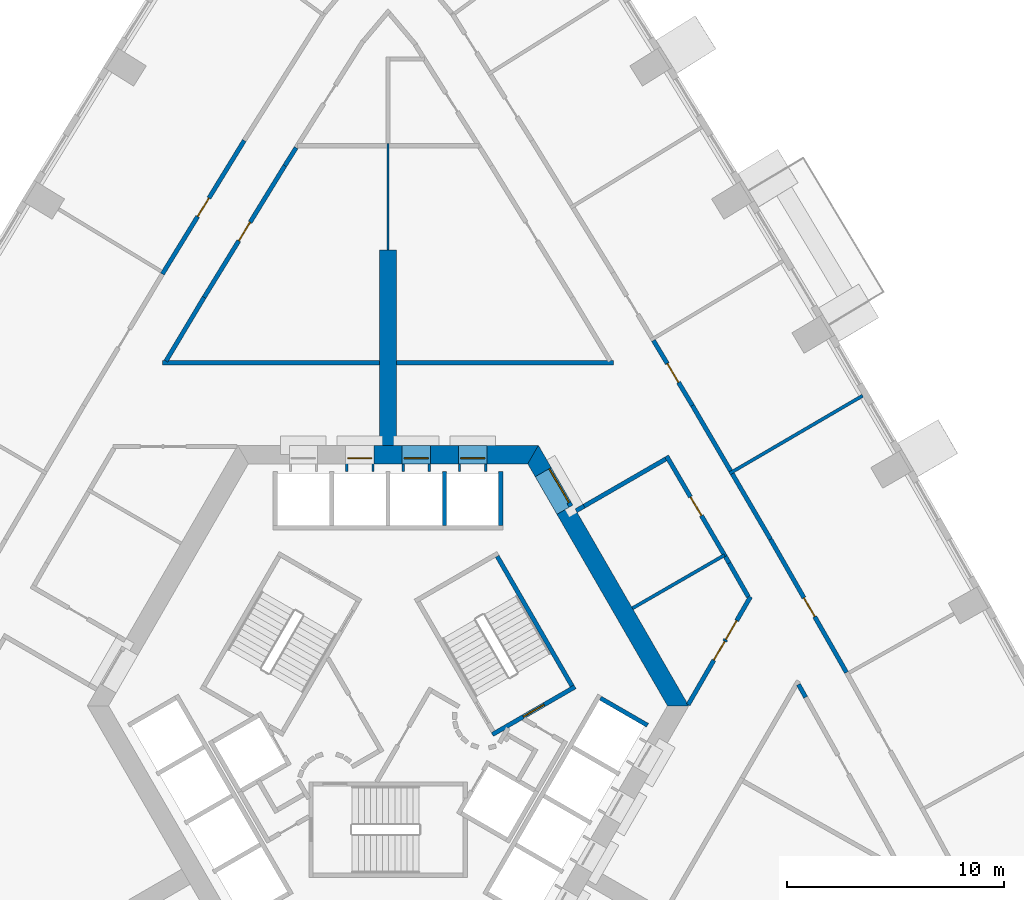
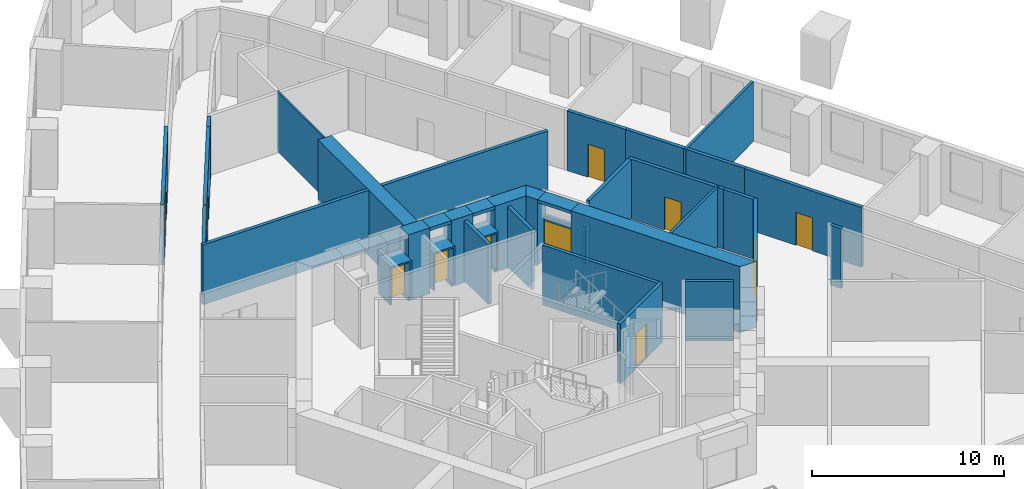
# One storey, part 9 of 15: 38 walls, 12 doors, 12 openings.
"""IFC4 building model written with IfcOpenShell, lengths in metres."""

from ifc_helpers import new_model, si_unit, direction, frame, frame_2d, origin, place, context, subcontext, project, spatial, polyline, rectangle, outline, extrude, material, layer, layer_set, type_object, element, fill, save


model = new_model("IFC4")

# Units and contexts
model_context = context("Model", 3, precision=1e-05, world=origin(), true_north=direction((0.0, 1.0)))
body_context = subcontext(model_context, "Body", "Model", "MODEL_VIEW")
ifc_project = project(units=[si_unit("LENGTHUNIT", "METRE"), si_unit("AREAUNIT", "SQUARE_METRE"), si_unit("VOLUMEUNIT", "CUBIC_METRE"), si_unit("PLANEANGLEUNIT", "RADIAN"), si_unit("MASSUNIT", "GRAM", prefix="KILO")], contexts=[model_context])

# Site, building, storey
site_placement = place(None, origin())
site = spatial("IfcSite", under=ifc_project, at=site_placement, CompositionType="ELEMENT")
building_placement = place(site_placement, origin())
building = spatial("IfcBuilding", under=site, at=building_placement, Name="Entoto Arch Interchange Tower", CompositionType="ELEMENT")
storey_placement = place(building_placement, frame((0.0, 0.0, 124.39990234375)))
storey = spatial("IfcBuildingStorey", under=building, at=storey_placement, Name="L27", CompositionType="ELEMENT", Elevation=124.39990234375)

# Wall
ifc_material_1 = material(Name="Concrete C60/75", Category="concrete")
ifc_layer_1 = layer(ifc_material_1, 0.800048828125)
ifc_layer_set_1 = layer_set([ifc_layer_1], Name="Concrete C60/75")
wall_type_1 = type_object("IfcWallType", Name="Buttress wall 800 C60/75", PredefinedType="SHEAR", material=ifc_layer_set_1)
wall_1_placement = place(storey_placement, frame((0.0, 14.5, -0.39990234375), z_axis=(0.0, 0.0, 1.0), x_axis=(0.0, 1.0, 0.0)))
element("IfcWall", 1, at=wall_1_placement, inside=storey, type_object=wall_type_1, Name="Buttress wall N L27", PredefinedType="SHEAR", context=body_context, shape_type="SweptSolid", body=[
    extrude(rectangle(XDim=9.0, YDim=0.800048828125, at=frame_2d((4.5, 0.0))), origin(), (0.0, 0.0, 1.0), 4.199951171875),
])

# Wall, opening, door
ifc_material_2 = material(Name="Reinforced concrete C40/50", Category="concrete")
ifc_layer_2 = layer(ifc_material_2, 0.199951171875)
ifc_layer_set_2 = layer_set([ifc_layer_2], Name="Reinforced concrete C40/50")
wall_type_2 = type_object("IfcWallType", Name="CORE GAP INFILL WALL", PredefinedType="PARTITIONING", material=ifc_layer_set_2)
wall_2_placement = place(storey_placement, frame((8.429931640625, 11.697998046875, 0.0), z_axis=(0.0, 0.0, 1.0), x_axis=(-0.50002537861, 0.866010750942, 0.0)))
wall_2 = element("IfcWall", 2, at=wall_2_placement, inside=storey, type_object=wall_type_2, Name="wall:L27:gap2", PredefinedType="PARTITIONING", context=body_context, shape_type="SweptSolid", body=[
    extrude(rectangle(XDim=2.0, YDim=0.199951171875, at=frame_2d((1.0, 0.0))), origin(), (0.0, 0.0, 1.0), 2.400146484375),
])
opening_1_placement = place(wall_2_placement, frame((0.18994140625, 0.0, 0.0)))
opening_1 = element("IfcOpeningElement", 3, at=opening_1_placement, cuts=wall_2, Name="Opening L27-D92", PredefinedType="OPENING", context=body_context, shape_type="SweptSolid", body=[
    extrude(rectangle(XDim=1.800048828125, YDim=2.10009765625, at=frame_2d((0.89990234375, 1.050048828125))), frame((0.0, 0.10986328125, 0.0), z_axis=(0.0, -1.0, 0.0), x_axis=(1.0, 0.0, 0.0)), (0.0, 0.0, 1.0), 0.219970703125),
])
ifc_material_3 = material(Name="Fire-rated Steel S235 door and frame", Category="steel")
door_type_1 = type_object("IfcDoorType", Name="DOOR FD-18 1800x2100", OperationType="DOUBLE_DOOR_SINGLE_SWING", PredefinedType="DOOR", material=ifc_material_3)
door_1_placement = place(opening_1_placement, origin())
door_1 = element("IfcDoor", 4, at=door_1_placement, inside=storey, type_object=door_type_1, Name="door:L27:gap2", OperationType="DOUBLE_DOOR_SINGLE_SWING", OverallHeight=2.10009765625, OverallWidth=1.800048828125, PredefinedType="DOOR", context=body_context, shape_type="SweptSolid", body=[
    extrude(rectangle(XDim=1.800048828125, YDim=2.10009765625, at=frame_2d((0.89990234375, 1.050048828125))), frame((0.0, 0.02490234375, 0.0), z_axis=(0.0, -1.0, 0.0), x_axis=(1.0, 0.0, 0.0)), (0.0, 0.0, 1.0), 0.050048828125),
])
fill(opening_1, door_1)

# Walls
ifc_layer_3 = layer(ifc_material_1, 0.85009765625)
ifc_layer_set_3 = layer_set([ifc_layer_3], Name="Concrete C60/75")
wall_type_3 = type_object("IfcWallType", Name="Core wall 850 C60/75", PredefinedType="SHEAR", material=ifc_layer_set_3)
wall_3_placement = place(storey_placement, frame((0.0, 0.0, -0.39990234375)))
element("IfcWall", 5, at=wall_3_placement, inside=storey, type_object=wall_type_3, Name="Core wall NE L27", PredefinedType="SHEAR", context=body_context, shape_type="SweptSolid", body=[
    extrude(outline(polyline([(8.51708984375, 11.748046875), (7.781005859375, 11.322998046875), (12.875, 2.5), (13.85595703125, 2.5), (8.51708984375, 11.748046875)])), origin(), (0.0, 0.0, 1.0), 4.199951171875),
])
wall_4_placement = place(storey_placement, frame((0.0, 0.0, -0.39990234375)))
element("IfcWall", 6, at=wall_4_placement, inside=storey, type_object=wall_type_3, Name="Core wall NE L27", PredefinedType="SHEAR", context=body_context, shape_type="SweptSolid", body=[
    extrude(outline(polyline([(6.781005859375, 13.054931640625), (7.51708984375, 13.47998046875), (6.927978515625, 14.5), (6.43701171875, 13.64990234375), (6.781005859375, 13.054931640625)])), origin(), (0.0, 0.0, 1.0), 4.199951171875),
])
wall_5_placement = place(storey_placement, frame((0.0, 0.0, 3.60009765625)))
element("IfcWall", 7, at=wall_5_placement, inside=storey, type_object=wall_type_3, Name="Core wall lintel NE L27", PredefinedType="SHEAR", context=body_context, shape_type="SweptSolid", body=[
    extrude(outline(polyline([(7.51708984375, 13.47998046875), (6.781005859375, 13.054931640625), (7.781005859375, 11.322998046875), (8.51708984375, 11.748046875), (7.51708984375, 13.47998046875)])), origin(), (0.0, 0.0, 1.0), 0.199951171875),
])
wall_6_placement = place(storey_placement, frame((0.0, 0.0, -0.39990234375)))
element("IfcWall", 8, at=wall_6_placement, inside=storey, type_object=wall_type_3, Name="Core wall N L27", PredefinedType="SHEAR", context=body_context, shape_type="SweptSolid", body=[
    extrude(outline(polyline([(4.550048828125, 14.5), (4.550048828125, 13.64990234375), (6.43701171875, 13.64990234375), (6.927978515625, 14.5), (4.550048828125, 14.5)])), origin(), (0.0, 0.0, 1.0), 4.199951171875),
])
wall_7_placement = place(storey_placement, frame((0.0, 0.0, -0.39990234375)))
element("IfcWall", 9, at=wall_7_placement, inside=storey, type_object=wall_type_3, Name="Core wall N L27", PredefinedType="SHEAR", context=body_context, shape_type="SweptSolid", body=[
    extrude(outline(polyline([(1.949951171875, 14.5), (1.949951171875, 13.64990234375), (3.25, 13.64990234375), (3.25, 14.5), (1.949951171875, 14.5)])), origin(), (0.0, 0.0, 1.0), 4.199951171875),
])
wall_8_placement = place(storey_placement, frame((0.0, 0.0, -0.39990234375)))
element("IfcWall", 10, at=wall_8_placement, inside=storey, type_object=wall_type_3, Name="Core wall N L27", PredefinedType="SHEAR", context=body_context, shape_type="SweptSolid", body=[
    extrude(outline(polyline([(-0.64990234375, 14.5), (-0.64990234375, 13.64990234375), (0.64990234375, 13.64990234375), (0.64990234375, 14.5), (-0.64990234375, 14.5)])), origin(), (0.0, 0.0, 1.0), 4.199951171875),
])
wall_9_placement = place(storey_placement, frame((0.0, 0.0, 3.60009765625)))
element("IfcWall", 11, at=wall_9_placement, inside=storey, type_object=wall_type_3, Name="Core wall lintel N L27", PredefinedType="SHEAR", context=body_context, shape_type="SweptSolid", body=[
    extrude(outline(polyline([(3.25, 14.5), (3.25, 13.64990234375), (4.550048828125, 13.64990234375), (4.550048828125, 14.5), (3.25, 14.5)])), origin(), (0.0, 0.0, 1.0), 0.199951171875),
])
wall_10_placement = place(storey_placement, frame((0.0, 0.0, 3.60009765625)))
element("IfcWall", 12, at=wall_10_placement, inside=storey, type_object=wall_type_3, Name="Core wall lintel N L27", PredefinedType="SHEAR", context=body_context, shape_type="SweptSolid", body=[
    extrude(outline(polyline([(0.64990234375, 14.5), (0.64990234375, 13.64990234375), (1.949951171875, 13.64990234375), (1.949951171875, 14.5), (0.64990234375, 14.5)])), origin(), (0.0, 0.0, 1.0), 0.199951171875),
])

# Wall, opening, door
ifc_material_4 = material(Name="Concrete C40/50", Category="concrete")
ifc_layer_4 = layer(ifc_material_4, 1.199951171875)
ifc_layer_set_4 = layer_set([ifc_layer_4], Name="Concrete C40/50")
wall_type_4 = type_object("IfcWallType", Name="LIFT LANDING INFILL WALL", PredefinedType="STANDARD", material=ifc_layer_set_4)
wall_11_placement = place(storey_placement, frame((4.550048828125, 13.89990234375, 0.0), z_axis=(0.0, 0.0, 1.0), x_axis=(-1.0, 0.0, 0.0)))
wall_11 = element("IfcWall", 13, at=wall_11_placement, inside=storey, type_object=wall_type_4, Name="Lift landing infill wall LR1 L27", PredefinedType="STANDARD", context=body_context, shape_type="SweptSolid", body=[
    extrude(rectangle(XDim=1.300048828125, YDim=1.199951171875, at=frame_2d((0.64990234375, 0.0))), origin(), (0.0, 0.0, 1.0), 2.400146484375),
])
opening_2_placement = place(wall_11_placement, frame((0.10009765625, 0.0, 0.0)))
opening_2 = element("IfcOpeningElement", 14, at=opening_2_placement, cuts=wall_11, Name="Opening LD-LR1-L27", PredefinedType="OPENING", context=body_context, shape_type="SweptSolid", body=[
    extrude(rectangle(XDim=1.10009765625, YDim=2.300048828125, at=frame_2d((0.550048828125, 1.14990234375))), frame((0.0, 0.60986328125, 0.0), z_axis=(0.0, -1.0, 0.0), x_axis=(1.0, 0.0, 0.0)), (0.0, 0.0, 1.0), 1.219970703125),
])
ifc_material_5 = material(Name="Stainless steel 1.4301 panels", Category="steel")
door_type_2 = type_object("IfcDoorType", Name="LIFT LANDING DOOR LD2 1100x2300", OperationType="SLIDING_TO_LEFT", PredefinedType="DOOR", material=ifc_material_5)
door_2_placement = place(opening_2_placement, origin())
door_2 = element("IfcDoor", 15, at=door_2_placement, inside=storey, type_object=door_type_2, Name="Lift landing door LR1 L27", OperationType="SLIDING_TO_LEFT", OverallHeight=2.300048828125, OverallWidth=1.10009765625, PredefinedType="DOOR", context=body_context, shape_type="SweptSolid", body=[
    extrude(rectangle(XDim=1.10009765625, YDim=2.300048828125, at=frame_2d((0.550048828125, 1.14990234375))), frame((0.0, 0.02490234375, 0.0), z_axis=(0.0, -1.0, 0.0), x_axis=(1.0, 0.0, 0.0)), (0.0, 0.0, 1.0), 0.050048828125),
])
fill(opening_2, door_2)

wall_12_placement = place(storey_placement, frame((1.949951171875, 13.89990234375, 0.0), z_axis=(0.0, 0.0, 1.0), x_axis=(-1.0, 0.0, 0.0)))
wall_12 = element("IfcWall", 16, at=wall_12_placement, inside=storey, type_object=wall_type_4, Name="Lift landing infill wall LR2 L27", PredefinedType="STANDARD", context=body_context, shape_type="SweptSolid", body=[
    extrude(rectangle(XDim=1.300048828125, YDim=1.199951171875, at=frame_2d((0.64990234375, 0.0))), origin(), (0.0, 0.0, 1.0), 2.400146484375),
])
opening_3_placement = place(wall_12_placement, frame((0.10009765625, 0.0, 0.0)))
opening_3 = element("IfcOpeningElement", 17, at=opening_3_placement, cuts=wall_12, Name="Opening LD-LR2-L27", PredefinedType="OPENING", context=body_context, shape_type="SweptSolid", body=[
    extrude(rectangle(XDim=1.10009765625, YDim=2.300048828125, at=frame_2d((0.550048828125, 1.14990234375))), frame((0.0, 0.60986328125, 0.0), z_axis=(0.0, -1.0, 0.0), x_axis=(1.0, 0.0, 0.0)), (0.0, 0.0, 1.0), 1.219970703125),
])
door_3_placement = place(opening_3_placement, origin())
door_3 = element("IfcDoor", 18, at=door_3_placement, inside=storey, type_object=door_type_2, Name="Lift landing door LR2 L27", OperationType="SLIDING_TO_LEFT", OverallHeight=2.300048828125, OverallWidth=1.10009765625, PredefinedType="DOOR", context=body_context, shape_type="SweptSolid", body=[
    extrude(rectangle(XDim=1.10009765625, YDim=2.300048828125, at=frame_2d((0.550048828125, 1.14990234375))), frame((0.0, 0.02490234375, 0.0), z_axis=(0.0, -1.0, 0.0), x_axis=(1.0, 0.0, 0.0)), (0.0, 0.0, 1.0), 0.050048828125),
])
fill(opening_3, door_3)

wall_13_placement = place(storey_placement, frame((-0.64990234375, 13.89990234375, 0.0), z_axis=(0.0, 0.0, 1.0), x_axis=(-1.0, 0.0, 0.0)))
wall_13 = element("IfcWall", 19, at=wall_13_placement, inside=storey, type_object=wall_type_4, Name="Lift landing infill wall LR3 L27", PredefinedType="STANDARD", context=body_context, shape_type="SweptSolid", body=[
    extrude(rectangle(XDim=1.300048828125, YDim=1.199951171875, at=frame_2d((0.64990234375, 0.0))), origin(), (0.0, 0.0, 1.0), 2.400146484375),
])
opening_4_placement = place(wall_13_placement, frame((0.10009765625, 0.0, 0.0)))
opening_4 = element("IfcOpeningElement", 20, at=opening_4_placement, cuts=wall_13, Name="Opening LD-LR3-L27", PredefinedType="OPENING", context=body_context, shape_type="SweptSolid", body=[
    extrude(rectangle(XDim=1.10009765625, YDim=2.300048828125, at=frame_2d((0.550048828125, 1.14990234375))), frame((0.0, 0.60986328125, 0.0), z_axis=(0.0, -1.0, 0.0), x_axis=(1.0, 0.0, 0.0)), (0.0, 0.0, 1.0), 1.219970703125),
])
door_4_placement = place(opening_4_placement, origin())
door_4 = element("IfcDoor", 21, at=door_4_placement, inside=storey, type_object=door_type_2, Name="Lift landing door LR3 L27", OperationType="SLIDING_TO_LEFT", OverallHeight=2.300048828125, OverallWidth=1.10009765625, PredefinedType="DOOR", context=body_context, shape_type="SweptSolid", body=[
    extrude(rectangle(XDim=1.10009765625, YDim=2.300048828125, at=frame_2d((0.550048828125, 1.14990234375))), frame((0.0, 0.02490234375, 0.0), z_axis=(0.0, -1.0, 0.0), x_axis=(1.0, 0.0, 0.0)), (0.0, 0.0, 1.0), 0.050048828125),
])
fill(opening_4, door_4)

# Walls
ifc_layer_5 = layer(ifc_material_4, 0.199951171875)
ifc_layer_set_5 = layer_set([ifc_layer_5], Name="Concrete C40/50")
wall_type_5 = type_object("IfcWallType", Name="LIFT SHAFT WALL 200", PredefinedType="STANDARD", material=ifc_layer_set_5)
for number, where, z_axis, x_axis, name in (
    (22, (5.199951171875, 10.800048828125, 0.0), (0.0, 0.0, 1.0), (0.0, 1.0, 0.0), "Shaft wall N3 cross 1"),
    (23, (2.60009765625, 10.800048828125, 0.0), (0.0, 0.0, 1.0), (0.0, 1.0, 0.0), "Shaft wall N3 cross 2"),
):
    element("IfcWall", number, at=place(storey_placement, frame(where, z_axis=z_axis, x_axis=x_axis)), inside=storey, type_object=wall_type_5, Name=name, PredefinedType="STANDARD", context=body_context, shape_type="SweptSolid", body=[
        extrude(rectangle(XDim=2.5, YDim=0.199951171875, at=frame_2d((1.25, 0.0))), origin(), (0.0, 0.0, 1.0), 3.800048828125),
    ])
wall_14_placement = place(storey_placement, frame((9.7880859375, 2.85302734375, 0.0), z_axis=(0.0, 0.0, 1.0), x_axis=(0.865998541277, -0.500046524342, 0.0)))
element("IfcWall", 24, at=wall_14_placement, inside=storey, type_object=wall_type_5, Name="Shaft wall SE3 cross 5", PredefinedType="STANDARD", context=body_context, shape_type="SweptSolid", body=[
    extrude(rectangle(XDim=2.499755859375, YDim=0.199951171875, at=frame_2d((1.25, 0.0))), origin(), (0.0, 0.0, 1.0), 3.800048828125),
])
ifc_material_6 = material(Name="Gypsum board partition on steel studs", Category="steel")
ifc_layer_6 = layer(ifc_material_6, 0.10009765625)
ifc_layer_set_6 = layer_set([ifc_layer_6], Name="Gypsum board partition on steel studs")
wall_type_6 = type_object("IfcWallType", Name="PARTITION 100", PredefinedType="PARTITIONING", material=ifc_layer_set_6)
wall_15_placement = place(storey_placement, frame((0.0, 23.5, 0.0), z_axis=(0.0, 0.0, 1.0), x_axis=(0.0, 1.0, 0.0)))
element("IfcWall", 25, at=wall_15_placement, inside=storey, type_object=wall_type_6, Name="wall:L27:p124", PredefinedType="PARTITIONING", context=body_context, shape_type="SweptSolid", body=[
    extrude(rectangle(XDim=4.89990234375, YDim=0.10009765625, at=frame_2d((2.449951171875, 0.0))), origin(), (0.0, 0.0, 1.0), 3.800048828125),
])
ifc_layer_7 = layer(ifc_material_6, 0.14990234375)
ifc_layer_set_7 = layer_set([ifc_layer_7], Name="Gypsum board partition on steel studs")
wall_type_7 = type_object("IfcWallType", Name="PARTITION 150", PredefinedType="PARTITIONING", material=ifc_layer_set_7)
wall_16_placement = place(storey_placement, frame((11.260986328125, 6.993896484375, 0.0), z_axis=(0.0, 0.0, 1.0), x_axis=(0.866013769041, 0.500020151426, 0.0)))
element("IfcWall", 26, at=wall_16_placement, inside=storey, type_object=wall_type_7, Name="wall:L27:p097", PredefinedType="PARTITIONING", context=body_context, shape_type="SweptSolid", body=[
    extrude(rectangle(XDim=4.898193359375, YDim=0.14990234375, at=frame_2d((2.44921875, 0.0))), origin(), (0.0, 0.0, 1.0), 3.800048828125),
])
wall_17_placement = place(storey_placement, frame((15.736083984375, 13.20703125, 0.0), z_axis=(0.0, 0.0, 1.0), x_axis=(0.863454426155, 0.504426856892, 0.0)))
element("IfcWall", 27, at=wall_17_placement, inside=storey, type_object=wall_type_7, Name="wall:L27:p140", PredefinedType="PARTITIONING", context=body_context, shape_type="SweptSolid", body=[
    extrude(rectangle(XDim=7.099365234375, YDim=0.14990234375, at=frame_2d((3.5498046875, 0.0))), origin(), (0.0, 0.0, 1.0), 3.800048828125),
])
ifc_layer_8 = layer(ifc_material_6, 0.199951171875)
ifc_layer_set_8 = layer_set([ifc_layer_8], Name="Gypsum board partition on steel studs")
wall_type_8 = type_object("IfcWallType", Name="PARTITION 200", PredefinedType="PARTITIONING", material=ifc_layer_set_8)
wall_18_placement = place(storey_placement, frame((16.60107421875, 7.52587890625, 0.0), z_axis=(0.0, 0.0, 1.0), x_axis=(-0.495652400286, 0.868520983103, 0.0)))
element("IfcWall", 28, at=wall_18_placement, inside=storey, type_object=wall_type_8, Name="wall:L27:p005", PredefinedType="PARTITIONING", context=body_context, shape_type="SweptSolid", body=[
    extrude(rectangle(XDim=1.78369140625, YDim=0.199951171875, at=frame_2d((0.891845703125, 0.0))), origin(), (0.0, 0.0, 1.0), 3.800048828125),
])
wall_19_placement = place(storey_placement, frame((15.717041015625, 9.074951171875, 0.0), z_axis=(0.0, 0.0, 1.0), x_axis=(-0.50235401398, 0.864662040706, 0.0)))
element("IfcWall", 29, at=wall_19_placement, inside=storey, type_object=wall_type_8, Name="wall:L27:p006", PredefinedType="PARTITIONING", context=body_context, shape_type="SweptSolid", body=[
    extrude(rectangle(XDim=0.350341796875, YDim=0.199951171875, at=frame_2d((0.17529296875, 0.0))), origin(), (0.0, 0.0, 1.0), 3.800048828125),
])

# Wall, opening, door
wall_20_placement = place(storey_placement, frame((15.541015625, 9.3779296875, 0.0), z_axis=(0.0, 0.0, 1.0), x_axis=(-0.504428354193, 0.863453551435, 0.0)))
wall_20 = element("IfcWall", 30, at=wall_20_placement, inside=storey, type_object=wall_type_8, Name="wall:L27:p007", PredefinedType="PARTITIONING", context=body_context, shape_type="SweptSolid", body=[
    extrude(rectangle(XDim=5.364501953125, YDim=0.199951171875, at=frame_2d((2.68212890625, 0.0))), origin(), (0.0, 0.0, 1.0), 3.800048828125),
])
opening_5_placement = place(wall_20_placement, frame((2.181884765625, 0.0, 0.0)))
opening_5 = element("IfcOpeningElement", 31, at=opening_5_placement, cuts=wall_20, Name="Opening L27-D34", PredefinedType="OPENING", context=body_context, shape_type="SweptSolid", body=[
    extrude(rectangle(XDim=1.0, YDim=2.10009765625, at=frame_2d((0.5, 1.050048828125))), frame((0.0, 0.10986328125, 0.0), z_axis=(0.0, -1.0, 0.0), x_axis=(1.0, 0.0, 0.0)), (0.0, 0.0, 1.0), 0.219970703125),
])
ifc_material_7 = material(Name="Timber door leaf in Steel S235 frame", Category="steel")
door_type_3 = type_object("IfcDoorType", Name="DOOR DS-10 1000x2100", OperationType="SINGLE_SWING_LEFT", PredefinedType="DOOR", material=ifc_material_7)
door_5_placement = place(opening_5_placement, origin())
door_5 = element("IfcDoor", 32, at=door_5_placement, inside=storey, type_object=door_type_3, Name="door:L27:34", OperationType="SINGLE_SWING_LEFT", OverallHeight=2.10009765625, OverallWidth=1.0, PredefinedType="DOOR", context=body_context, shape_type="SweptSolid", body=[
    extrude(rectangle(XDim=1.0, YDim=2.10009765625, at=frame_2d((0.5, 1.050048828125))), frame((0.0, 0.02490234375, 0.0), z_axis=(0.0, -1.0, 0.0), x_axis=(1.0, 0.0, 0.0)), (0.0, 0.0, 1.0), 0.050048828125),
])
fill(opening_5, door_5)

# Walls
wall_21_placement = place(storey_placement, frame((12.798095703125, 13.873046875, 0.0), z_axis=(0.0, 0.0, 1.0), x_axis=(-0.866080799279, -0.499904039911, 0.0)))
element("IfcWall", 33, at=wall_21_placement, inside=storey, type_object=wall_type_8, Name="wall:L27:p008", PredefinedType="PARTITIONING", context=body_context, shape_type="SweptSolid", body=[
    extrude(rectangle(XDim=4.344970703125, YDim=0.199951171875, at=frame_2d((2.17236328125, 0.0))), origin(), (0.0, 0.0, 1.0), 3.800048828125),
])
wall_22_placement = place(storey_placement, frame((-4.236083984375, 28.215087890625, 0.0), z_axis=(0.0, 0.0, 1.0), x_axis=(-0.531343659666, -0.84715637006, 0.0)))
element("IfcWall", 34, at=wall_22_placement, inside=storey, type_object=wall_type_8, Name="wall:L27:p012", PredefinedType="PARTITIONING", context=body_context, shape_type="SweptSolid", body=[
    extrude(rectangle(XDim=0.978759765625, YDim=0.199951171875, at=frame_2d((0.4892578125, 0.0))), origin(), (0.0, 0.0, 1.0), 3.800048828125),
])

# Wall, opening, door
wall_23_placement = place(storey_placement, frame((-4.756103515625, 27.385986328125, 0.0), z_axis=(0.0, 0.0, 1.0), x_axis=(-0.522743103274, -0.852490262689, 0.0)))
wall_23 = element("IfcWall", 35, at=wall_23_placement, inside=storey, type_object=wall_type_8, Name="wall:L27:p013", PredefinedType="PARTITIONING", context=body_context, shape_type="SweptSolid", body=[
    extrude(rectangle(XDim=7.114501953125, YDim=0.199951171875, at=frame_2d((3.55712890625, 0.0))), origin(), (0.0, 0.0, 1.0), 3.800048828125),
])
opening_6_placement = place(wall_23_placement, frame((3.056884765625, 0.0, 0.0)))
opening_6 = element("IfcOpeningElement", 36, at=opening_6_placement, cuts=wall_23, Name="Opening L27-D27", PredefinedType="OPENING", context=body_context, shape_type="SweptSolid", body=[
    extrude(rectangle(XDim=1.0, YDim=2.10009765625, at=frame_2d((0.5, 1.050048828125))), frame((0.0, 0.10986328125, 0.0), z_axis=(0.0, -1.0, 0.0), x_axis=(1.0, 0.0, 0.0)), (0.0, 0.0, 1.0), 0.219970703125),
])
door_6_placement = place(opening_6_placement, origin())
door_6 = element("IfcDoor", 37, at=door_6_placement, inside=storey, type_object=door_type_3, Name="door:L27:27", OperationType="SINGLE_SWING_RIGHT", OverallHeight=2.10009765625, OverallWidth=1.0, PredefinedType="DOOR", context=body_context, shape_type="SweptSolid", body=[
    extrude(rectangle(XDim=1.0, YDim=2.10009765625, at=frame_2d((0.5, 1.050048828125))), frame((0.0, 0.02490234375, 0.0), z_axis=(0.0, -1.0, 0.0), x_axis=(1.0, 0.0, 0.0)), (0.0, 0.0, 1.0), 0.050048828125),
])
fill(opening_6, door_6)

# Walls
wall_24_placement = place(storey_placement, frame((-8.47509765625, 21.321044921875, 0.0), z_axis=(0.0, 0.0, 1.0), x_axis=(-0.513592824646, -0.858034038062, 0.0)))
element("IfcWall", 38, at=wall_24_placement, inside=storey, type_object=wall_type_8, Name="wall:L27:p014", PredefinedType="PARTITIONING", context=body_context, shape_type="SweptSolid", body=[
    extrude(rectangle(XDim=3.420654296875, YDim=0.199951171875, at=frame_2d((1.71044921875, 0.0))), origin(), (0.0, 0.0, 1.0), 3.800048828125),
])
wall_25_placement = place(storey_placement, frame((19.242919921875, 2.89404296875, 0.0), z_axis=(0.0, 0.0, 1.0), x_axis=(-0.494108984218, 0.869399972231, 0.0)))
element("IfcWall", 39, at=wall_25_placement, inside=storey, type_object=wall_type_8, Name="wall:L27:p024", PredefinedType="PARTITIONING", context=body_context, shape_type="SweptSolid", body=[
    extrude(rectangle(XDim=0.674072265625, YDim=0.199951171875, at=frame_2d((0.3369140625, 0.0))), origin(), (0.0, 0.0, 1.0), 3.800048828125),
])
wall_26_placement = place(storey_placement, frame((15.860107421875, 13.193115234375, 0.0), z_axis=(0.0, 0.0, 1.0), x_axis=(0.504383407959, -0.863479807393, 0.0)))
element("IfcWall", 40, at=wall_26_placement, inside=storey, type_object=wall_type_8, Name="wall:L27:p054", PredefinedType="PARTITIONING", context=body_context, shape_type="SweptSolid", body=[
    extrude(rectangle(XDim=3.4951171875, YDim=0.199951171875, at=frame_2d((1.74755859375, 0.0))), origin(), (0.0, 0.0, 1.0), 3.800048828125),
])

# Wall, opening, door
wall_27_placement = place(storey_placement, frame((17.623046875, 10.175048828125, 0.0), z_axis=(0.0, 0.0, 1.0), x_axis=(0.4954688358, -0.868625714995, 0.0)))
wall_27 = element("IfcWall", 41, at=wall_27_placement, inside=storey, type_object=wall_type_8, Name="wall:L27:p055", PredefinedType="PARTITIONING", context=body_context, shape_type="SweptSolid", body=[
    extrude(rectangle(XDim=7.06396484375, YDim=0.199951171875, at=frame_2d((3.531982421875, 0.0))), origin(), (0.0, 0.0, 1.0), 3.800048828125),
])
opening_7_placement = place(wall_27_placement, frame((3.10693359375, 0.0, 0.0)))
opening_7 = element("IfcOpeningElement", 42, at=opening_7_placement, cuts=wall_27, Name="Opening L27-D08", PredefinedType="OPENING", context=body_context, shape_type="SweptSolid", body=[
    extrude(rectangle(XDim=1.0, YDim=2.10009765625, at=frame_2d((0.5, 1.050048828125))), frame((0.0, 0.10986328125, 0.0), z_axis=(0.0, -1.0, 0.0), x_axis=(1.0, 0.0, 0.0)), (0.0, 0.0, 1.0), 0.219970703125),
])
door_7_placement = place(opening_7_placement, origin())
door_7 = element("IfcDoor", 43, at=door_7_placement, inside=storey, type_object=door_type_3, Name="door:L27:08", OperationType="SINGLE_SWING_LEFT", OverallHeight=2.10009765625, OverallWidth=1.0, PredefinedType="DOOR", context=body_context, shape_type="SweptSolid", body=[
    extrude(rectangle(XDim=1.0, YDim=2.10009765625, at=frame_2d((0.5, 1.050048828125))), frame((0.0, 0.02490234375, 0.0), z_axis=(0.0, -1.0, 0.0), x_axis=(1.0, 0.0, 0.0)), (0.0, 0.0, 1.0), 0.050048828125),
])
fill(opening_7, door_7)

wall_28_placement = place(storey_placement, frame((12.22802734375, 19.3349609375, 0.0), z_axis=(0.0, 0.0, 1.0), x_axis=(0.513796731551, -0.857911952736, 0.0)))
wall_28 = element("IfcWall", 44, at=wall_28_placement, inside=storey, type_object=wall_type_8, Name="wall:L27:p056", PredefinedType="PARTITIONING", context=body_context, shape_type="SweptSolid", body=[
    extrude(rectangle(XDim=3.493408203125, YDim=0.199951171875, at=frame_2d((1.74658203125, 0.0))), origin(), (0.0, 0.0, 1.0), 3.800048828125),
])
opening_8_placement = place(wall_28_placement, frame((1.2470703125, 0.0, 0.0)))
opening_8 = element("IfcOpeningElement", 45, at=opening_8_placement, cuts=wall_28, Name="Opening L27-D09", PredefinedType="OPENING", context=body_context, shape_type="SweptSolid", body=[
    extrude(rectangle(XDim=1.0, YDim=2.10009765625, at=frame_2d((0.5, 1.050048828125))), frame((0.0, 0.10986328125, 0.0), z_axis=(0.0, -1.0, 0.0), x_axis=(1.0, 0.0, 0.0)), (0.0, 0.0, 1.0), 0.219970703125),
])
door_8_placement = place(opening_8_placement, origin())
door_8 = element("IfcDoor", 46, at=door_8_placement, inside=storey, type_object=door_type_3, Name="door:L27:09", OperationType="SINGLE_SWING_LEFT", OverallHeight=2.10009765625, OverallWidth=1.0, PredefinedType="DOOR", context=body_context, shape_type="SweptSolid", body=[
    extrude(rectangle(XDim=1.0, YDim=2.10009765625, at=frame_2d((0.5, 1.050048828125))), frame((0.0, 0.02490234375, 0.0), z_axis=(0.0, -1.0, 0.0), x_axis=(1.0, 0.0, 0.0)), (0.0, 0.0, 1.0), 0.050048828125),
])
fill(opening_8, door_8)

# Wall
wall_29_placement = place(storey_placement, frame((14.02294921875, 16.337890625, 0.0), z_axis=(0.0, 0.0, 1.0), x_axis=(0.50424043703, -0.863563304954, 0.0)))
element("IfcWall", 47, at=wall_29_placement, inside=storey, type_object=wall_type_8, Name="wall:L27:p057", PredefinedType="PARTITIONING", context=body_context, shape_type="SweptSolid", body=[
    extrude(rectangle(XDim=3.492431640625, YDim=0.199951171875, at=frame_2d((1.74609375, 0.0))), origin(), (0.0, 0.0, 1.0), 3.800048828125),
])

# Wall, opening, door
wall_30_placement = place(storey_placement, frame((-10.39599609375, 22.39697265625, 0.0), z_axis=(0.0, 0.0, 1.0), x_axis=(0.522695398968, 0.852519512913, 0.0)))
wall_30 = element("IfcWall", 48, at=wall_30_placement, inside=storey, type_object=wall_type_8, Name="wall:L27:p067", PredefinedType="PARTITIONING", context=body_context, shape_type="SweptSolid", body=[
    extrude(rectangle(XDim=7.212646484375, YDim=0.199951171875, at=frame_2d((3.6064453125, 0.0))), origin(), (0.0, 0.0, 1.0), 3.800048828125),
])
opening_9_placement = place(wall_30_placement, frame((3.10595703125, 0.0, 0.0)))
opening_9 = element("IfcOpeningElement", 49, at=opening_9_placement, cuts=wall_30, Name="Opening L27-D14", PredefinedType="OPENING", context=body_context, shape_type="SweptSolid", body=[
    extrude(rectangle(XDim=1.0, YDim=2.10009765625, at=frame_2d((0.5, 1.050048828125))), frame((0.0, 0.10986328125, 0.0), z_axis=(0.0, -1.0, 0.0), x_axis=(1.0, 0.0, 0.0)), (0.0, 0.0, 1.0), 0.219970703125),
])
door_9_placement = place(opening_9_placement, origin())
door_9 = element("IfcDoor", 50, at=door_9_placement, inside=storey, type_object=door_type_3, Name="door:L27:14", OperationType="SINGLE_SWING_LEFT", OverallHeight=2.10009765625, OverallWidth=1.0, PredefinedType="DOOR", context=body_context, shape_type="SweptSolid", body=[
    extrude(rectangle(XDim=1.0, YDim=2.10009765625, at=frame_2d((0.5, 1.050048828125))), frame((0.0, 0.02490234375, 0.0), z_axis=(0.0, -1.0, 0.0), x_axis=(1.0, 0.0, 0.0)), (0.0, 0.0, 1.0), 0.050048828125),
])
fill(opening_9, door_9)

# Wall, openings, doors
wall_31_placement = place(storey_placement, frame((13.826904296875, 2.550048828125, 0.0), z_axis=(0.0, 0.0, 1.0), x_axis=(0.500032637853, 0.866006559491, 0.0)))
wall_31 = element("IfcWall", 51, at=wall_31_placement, inside=storey, type_object=wall_type_8, Name="wall:L27:p098", PredefinedType="PARTITIONING", context=body_context, shape_type="SweptSolid", body=[
    extrude(rectangle(XDim=5.74560546875, YDim=0.199951171875, at=frame_2d((2.872802734375, 0.0))), origin(), (0.0, 0.0, 1.0), 3.800048828125),
])
opening_10_placement = place(wall_31_placement, frame((2.373046875, 0.0, 0.0)))
opening_10 = element("IfcOpeningElement", 52, at=opening_10_placement, cuts=wall_31, Name="Opening L27-D33", PredefinedType="OPENING", context=body_context, shape_type="SweptSolid", body=[
    extrude(rectangle(XDim=1.0, YDim=2.10009765625, at=frame_2d((0.5, 1.050048828125))), frame((0.0, 0.10986328125, 0.0), z_axis=(0.0, -1.0, 0.0), x_axis=(1.0, 0.0, 0.0)), (0.0, 0.0, 1.0), 0.219970703125),
])
opening_11_placement = place(wall_31_placement, frame((3.472900390625, 0.0, 0.0)))
opening_11 = element("IfcOpeningElement", 53, at=opening_11_placement, cuts=wall_31, Name="Opening L27-D41", PredefinedType="OPENING", context=body_context, shape_type="SweptSolid", body=[
    extrude(rectangle(XDim=1.0, YDim=2.10009765625, at=frame_2d((0.5, 1.050048828125))), frame((0.0, 0.10986328125, 0.0), z_axis=(0.0, -1.0, 0.0), x_axis=(1.0, 0.0, 0.0)), (0.0, 0.0, 1.0), 0.219970703125),
])
door_10_placement = place(opening_10_placement, origin())
door_10 = element("IfcDoor", 54, at=door_10_placement, inside=storey, type_object=door_type_3, Name="door:L27:33", OperationType="SINGLE_SWING_LEFT", OverallHeight=2.10009765625, OverallWidth=1.0, PredefinedType="DOOR", context=body_context, shape_type="SweptSolid", body=[
    extrude(rectangle(XDim=1.0, YDim=2.10009765625, at=frame_2d((0.5, 1.050048828125))), frame((0.0, 0.02490234375, 0.0), z_axis=(0.0, -1.0, 0.0), x_axis=(1.0, 0.0, 0.0)), (0.0, 0.0, 1.0), 0.050048828125),
])
fill(opening_10, door_10)
door_11_placement = place(opening_11_placement, origin())
door_11 = element("IfcDoor", 55, at=door_11_placement, inside=storey, type_object=door_type_3, Name="door:L27:41", OperationType="SINGLE_SWING_RIGHT", OverallHeight=2.10009765625, OverallWidth=1.0, PredefinedType="DOOR", context=body_context, shape_type="SweptSolid", body=[
    extrude(rectangle(XDim=1.0, YDim=2.10009765625, at=frame_2d((0.5, 1.050048828125))), frame((0.0, 0.02490234375, 0.0), z_axis=(0.0, -1.0, 0.0), x_axis=(1.0, 0.0, 0.0)), (0.0, 0.0, 1.0), 0.050048828125),
])
fill(opening_11, door_11)

# Walls
for number, where, z_axis, x_axis, name in (
    (56, (0.39990234375, 18.300048828125, 0.0), (0.0, 0.0, 1.0), (1.0, 0.0, 0.0), "wall:L27:p120"),
    (57, (-10.384033203125, 18.300048828125, 0.0), (0.0, 0.0, 1.0), (1.0, 0.0, 0.0), "wall:L27:p121"),
):
    element("IfcWall", number, at=place(storey_placement, frame(where, z_axis=z_axis, x_axis=x_axis)), inside=storey, type_object=wall_type_8, Name=name, PredefinedType="PARTITIONING", context=body_context, shape_type="SweptSolid", body=[
        extrude(rectangle(XDim=9.984130859375, YDim=0.199951171875, at=frame_2d((4.9921875, 0.0))), origin(), (0.0, 0.0, 1.0), 3.800048828125),
    ])
wall_32_placement = place(storey_placement, frame((9.034912109375, 11.700927734375, 0.0), z_axis=(0.0, 0.0, 1.0), x_axis=(-0.865544229481, -0.500832493767, 0.0)))
element("IfcWall", 58, at=wall_32_placement, inside=storey, type_object=wall_type_8, Name="wall:L27:p008", PredefinedType="PARTITIONING", context=body_context, shape_type="SweptSolid", body=[
    extrude(rectangle(XDim=0.425048828125, YDim=0.199951171875, at=frame_2d((0.21240234375, 0.0))), origin(), (0.0, 0.0, 1.0), 2.400146484375),
])

# Wall, opening, door
ifc_layer_9 = layer(ifc_material_4, 0.199951171875)
ifc_layer_set_9 = layer_set([ifc_layer_9], Name="Concrete C40/50")
wall_type_9 = type_object("IfcWallType", Name="STAIR ENCLOSURE WALL 200", PredefinedType="STANDARD", material=ifc_layer_set_9)
wall_33_placement = place(storey_placement, frame((4.805908203125, 1.176025390625, 0.0), z_axis=(0.0, 0.0, 1.0), x_axis=(0.866059941101, 0.499940174841, 0.0)))
wall_33 = element("IfcWall", 59, at=wall_33_placement, inside=storey, type_object=wall_type_9, Name="Stair wall ST-NE near", PredefinedType="STANDARD", context=body_context, shape_type="SweptSolid", body=[
    extrude(rectangle(XDim=4.400390625, YDim=0.199951171875, at=frame_2d((2.2001953125, 0.0))), origin(), (0.0, 0.0, 1.0), 3.800048828125),
])
opening_12_placement = place(wall_33_placement, frame((1.64990234375, 0.0, 0.0)))
opening_12 = element("IfcOpeningElement", 60, at=opening_12_placement, cuts=wall_33, Name="Opening SD-ST-NE-L27-E", PredefinedType="OPENING", context=body_context, shape_type="SweptSolid", body=[
    extrude(rectangle(XDim=1.10009765625, YDim=2.199951171875, at=frame_2d((0.550048828125, 1.10009765625))), frame((0.0, 0.10986328125, 0.0), z_axis=(0.0, -1.0, 0.0), x_axis=(1.0, 0.0, 0.0)), (0.0, 0.0, 1.0), 0.219970703125),
])
ifc_material_8 = material(Name="Steel S235", Category="steel")
door_type_4 = type_object("IfcDoorType", Name="STAIR DOOR SD1 1100x2200", OperationType="SINGLE_SWING_LEFT", PredefinedType="DOOR", material=ifc_material_8)
door_12_placement = place(opening_12_placement, origin())
door_12 = element("IfcDoor", 61, at=door_12_placement, inside=storey, type_object=door_type_4, Name="Stair door ST-NE L27 end", OperationType="SINGLE_SWING_LEFT", OverallHeight=2.199951171875, OverallWidth=1.10009765625, PredefinedType="DOOR", context=body_context, shape_type="SweptSolid", body=[
    extrude(rectangle(XDim=1.10009765625, YDim=2.199951171875, at=frame_2d((0.550048828125, 1.10009765625))), frame((0.0, 0.02490234375, 0.0), z_axis=(0.0, -1.0, 0.0), x_axis=(1.0, 0.0, 0.0)), (0.0, 0.0, 1.0), 0.050048828125),
])
fill(opening_12, door_12)

# Wall
wall_34_placement = place(storey_placement, frame((8.47998046875, 3.412109375, 0.0), z_axis=(0.0, 0.0, 1.0), x_axis=(-0.499978703459, 0.866037698999, 0.0)))
element("IfcWall", 62, at=wall_34_placement, inside=storey, type_object=wall_type_9, Name="Stair wall ST-NE back", PredefinedType="STANDARD", context=body_context, shape_type="SweptSolid", body=[
    extrude(rectangle(XDim=6.900146484375, YDim=0.199951171875, at=frame_2d((3.4501953125, 0.0))), origin(), (0.0, 0.0, 1.0), 3.800048828125),
])

save(model, "model.ifc")
